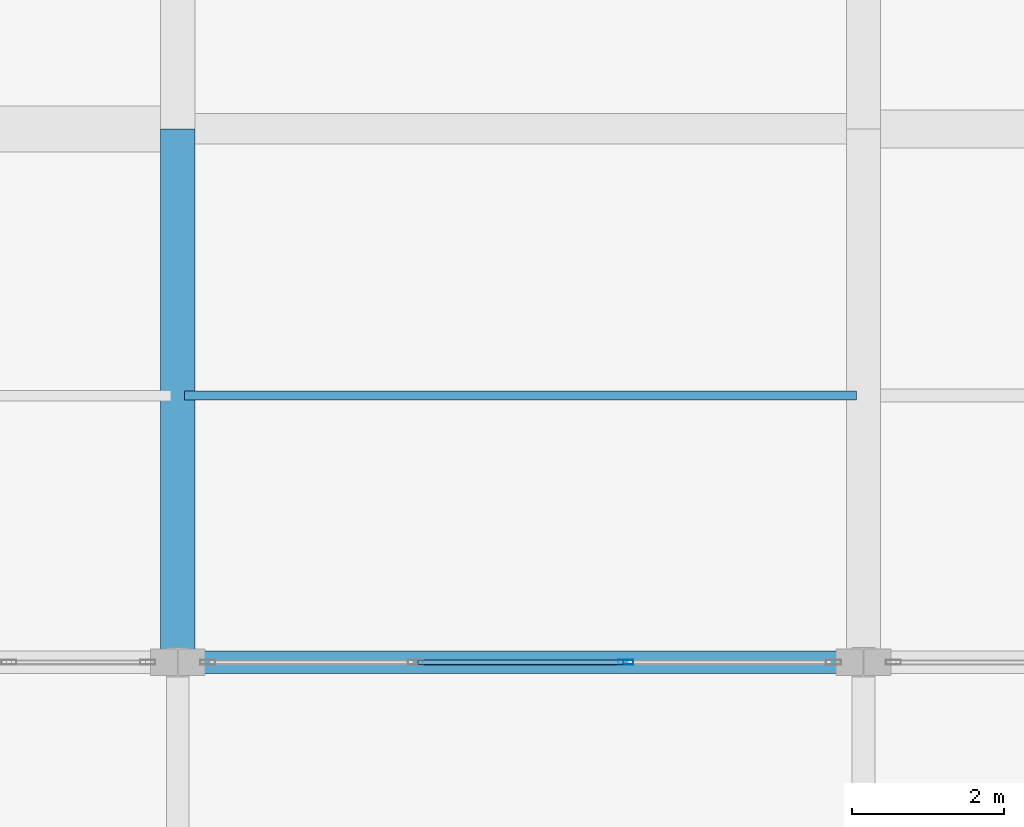
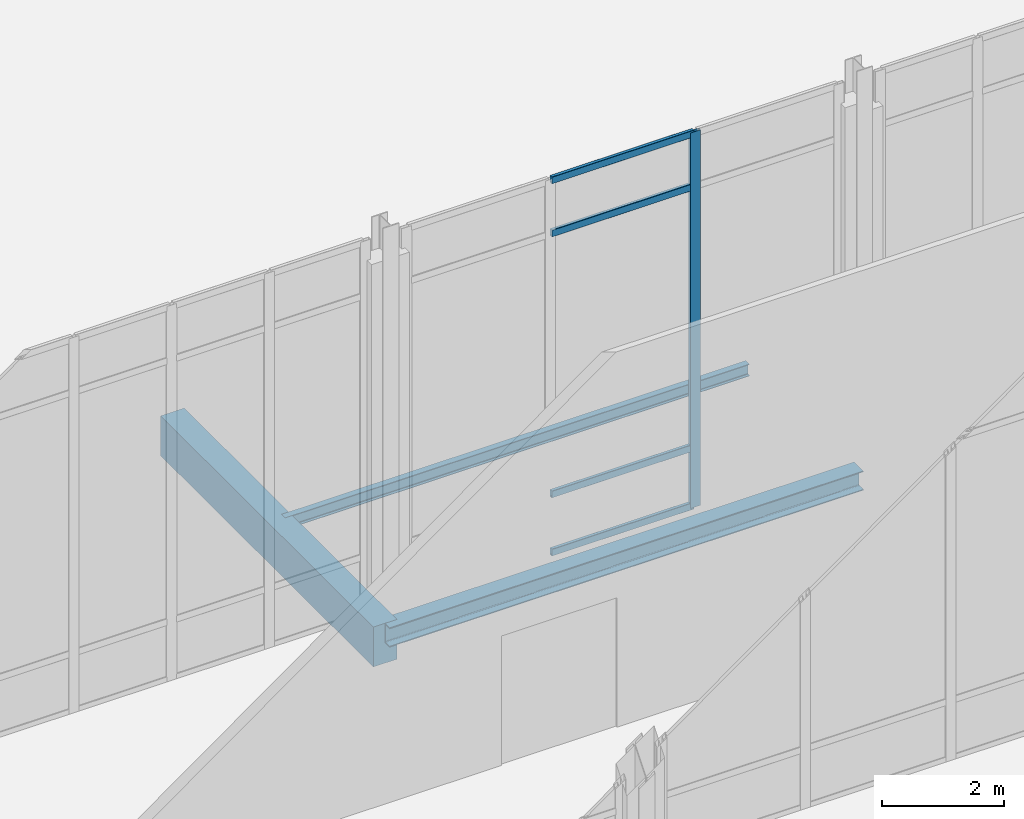
# One storey, part 106 of 176: 5 members, 3 beams, 1 element without a shape of its own.
"""IFC4 building model written with IfcOpenShell, lengths in metres."""

from ifc_helpers import new_model, si_unit, direction, frame, origin, origin_2d, place, context, subcontext, project, spatial, rectangle, hollow_rectangle, i_section, extrude, material, layer, layer_set, material_profile, profile_set, type_object, element, aggregate, save


model = new_model("IFC4")

# Units and contexts
model_context = context("Model", 3, precision=1e-05, world=origin(), true_north=direction((0.0, 1.0)))
body_context = subcontext(model_context, "Body", "Model", "MODEL_VIEW")
ifc_project = project(units=[si_unit("LENGTHUNIT", "METRE"), si_unit("AREAUNIT", "SQUARE_METRE"), si_unit("VOLUMEUNIT", "CUBIC_METRE"), si_unit("PLANEANGLEUNIT", "RADIAN"), si_unit("MASSUNIT", "GRAM", prefix="KILO")], contexts=[model_context])

# Site, building, storey
site_placement = place(None, origin())
site = spatial("IfcSite", under=ifc_project, at=site_placement, CompositionType="ELEMENT")
building_placement = place(site_placement, origin())
building = spatial("IfcBuilding", under=site, at=building_placement, Name="Vekula Escarpment Museum", CompositionType="ELEMENT")
storey_placement = place(building_placement, origin())
storey = spatial("IfcBuildingStorey", under=building, at=storey_placement, Name="L01", CompositionType="ELEMENT", Elevation=0.0)

# Beams
ifc_material_1 = material(Name="Steel S355", Category="steel")
ifc_material_profile_1 = material_profile(ifc_material_1, i_section(OverallWidth=0.1201171875, OverallDepth=0.239990234375, WebThickness=0.006103515625, FlangeThickness=0.009765625, FilletRadius=0.014892578125, at=origin_2d()), Name="IPE 240")
ifc_profile_set_1 = profile_set([ifc_material_profile_1], Name="Steel S355")
beam_type_1 = type_object("IfcBeamType", Name="BM-JST-IPE240", PredefinedType="JOIST", material=ifc_profile_set_1)
beam_1_placement = place(storey_placement, frame((146.090087890625, 79.89990234375, -0.419921875), z_axis=(1.0, 0.0, 0.0), x_axis=(0.0, 1.0, 0.0)))
element("IfcBeam", 1, at=beam_1_placement, inside=storey, type_object=beam_type_1, Name="Secondary Joist L01 0493", PredefinedType="JOIST", context=body_context, shape_type="SweptSolid", body=[
    extrude(i_section(OverallWidth=0.1201171875, OverallDepth=0.239990234375, WebThickness=0.006103515625, FlangeThickness=0.009765625, FilletRadius=0.014892578125, at=origin_2d()), origin(), (0.0, 0.0, 1.0), 8.81982421875),
])
ifc_material_2 = material(Name="Concrete C35/45", Category="concrete")
ifc_material_profile_2 = material_profile(ifc_material_2, rectangle(XDim=0.449951171875, YDim=0.800048828125, at=origin_2d()), Name="RC 450x800")
ifc_profile_set_2 = profile_set([ifc_material_profile_2], Name="Concrete C35/45")
beam_type_2 = type_object("IfcBeamType", Name="BM-PLINTH-RC", PredefinedType="BEAM", material=ifc_profile_set_2)
beam_2_placement = place(storey_placement, frame((146.0, 76.39990234375, -0.699951171875), z_axis=(0.0, 1.0, 0.0), x_axis=(-1.0, 0.0, 0.0)))
element("IfcBeam", 2, at=beam_2_placement, inside=storey, type_object=beam_type_2, Name="Beam Y L01 0697", PredefinedType="BEAM", context=body_context, shape_type="SweptSolid", body=[
    extrude(rectangle(XDim=0.449951171875, YDim=0.800048828125, at=origin_2d()), origin(), (0.0, 0.0, 1.0), 7.0),
])
ifc_material_3 = material(Name="Steel S355", Category="steel")
ifc_material_profile_3 = material_profile(ifc_material_3, i_section(OverallWidth=0.300048828125, OverallDepth=0.389892578125, WebThickness=0.010986328125, FlangeThickness=0.01904296875, FilletRadius=0.027099609375, at=origin_2d()), Name="HEA 400")
ifc_profile_set_3 = profile_set([ifc_material_profile_3], Name="Steel S355")
beam_type_3 = type_object("IfcBeamType", Name="BM-SPAN-HEA400", PredefinedType="SPANDREL", material=ifc_profile_set_3)
beam_3_placement = place(storey_placement, frame((146.0, 76.39990234375, -0.4951171875), z_axis=(1.0, 0.0, 0.0), x_axis=(0.0, 1.0, 0.0)))
element("IfcBeam", 3, at=beam_3_placement, inside=storey, type_object=beam_type_3, Name="Beam X L01 0224", PredefinedType="SPANDREL", context=body_context, shape_type="SweptSolid", body=[
    extrude(i_section(OverallWidth=0.300048828125, OverallDepth=0.389892578125, WebThickness=0.010986328125, FlangeThickness=0.01904296875, FilletRadius=0.027099609375, at=origin_2d()), origin(), (0.0, 0.0, 1.0), 9.0),
])

# Curtain wall, members
ifc_material_4 = material(Name="Aluminium thermally broken framing", Category="aluminium")
ifc_layer = layer(ifc_material_4, 0.169921875)
ifc_layer_set = layer_set([ifc_layer], Name="Aluminium thermally broken framing")
curtain_wall_type = type_object("IfcCurtainWallType", Name="CW-SYS-10", PredefinedType="NOTDEFINED", material=ifc_layer_set)
curtain_wall_placement = place(storey_placement, origin())
curtain_wall = element("IfcCurtainWall", 4, at=curtain_wall_placement, inside=storey, type_object=curtain_wall_type, Name="Curtain Wall CW-L01-020", PredefinedType="NOTDEFINED")
ifc_material_5 = material(Name="Aluminium anodized mullion", Category="aluminium")
ifc_material_profile_4 = material_profile(ifc_material_5, hollow_rectangle(XDim=0.06494140625, YDim=0.199951171875, WallThickness=0.00390625, InnerFilletRadius=0.00390625, OuterFilletRadius=0.008056640625, at=origin_2d()), Name="ALU 200x65x4")
ifc_profile_set_4 = profile_set([ifc_material_profile_4], Name="Aluminium anodized mullion")
member_type_1 = type_object("IfcMemberType", Name="CW-MUL-200", PredefinedType="MULLION", material=ifc_profile_set_4)
member_1_placement = place(storey_placement, frame((151.8798828125, 76.39990234375, 0.0), z_axis=(0.0, 0.0, 1.0), x_axis=(0.0, -1.0, 0.0)))
member_1 = element("IfcMember", 5, at=member_1_placement, type_object=member_type_1, Name="CW-10 mullion 2", PredefinedType="MULLION", context=body_context, shape_type="SweptSolid", body=[
    extrude(hollow_rectangle(XDim=0.06494140625, YDim=0.199951171875, WallThickness=0.00390625, InnerFilletRadius=0.00390625, OuterFilletRadius=0.008056640625, at=origin_2d()), origin(), (0.0, 0.0, 1.0), 7.5400390625),
])
ifc_material_6 = material(Name="Aluminium anodized transom", Category="aluminium")
ifc_material_profile_5 = material_profile(ifc_material_6, hollow_rectangle(XDim=0.06494140625, YDim=0.139892578125, WallThickness=0.00390625, InnerFilletRadius=0.00390625, OuterFilletRadius=0.008056640625, at=origin_2d()), Name="ALU 140x65x4")
ifc_profile_set_5 = profile_set([ifc_material_profile_5], Name="Aluminium anodized transom")
member_type_2 = type_object("IfcMemberType", Name="CW-TRN-140", PredefinedType="USERDEFINED", material=ifc_profile_set_5)
member_2_placement = place(storey_placement, frame((151.847412109375, 76.39990234375, 0.032470703125), z_axis=(-1.0, 0.0, 0.0), x_axis=(0.0, -1.0, 0.0)))
member_2 = element("IfcMember", 6, at=member_2_placement, type_object=member_type_2, Name="CW-10 transom 2.1", ObjectType="TRANSOM", PredefinedType="USERDEFINED", context=body_context, shape_type="SweptSolid", body=[
    extrude(hollow_rectangle(XDim=0.06494140625, YDim=0.139892578125, WallThickness=0.00390625, InnerFilletRadius=0.00390625, OuterFilletRadius=0.008056640625, at=origin_2d()), origin(), (0.0, 0.0, 1.0), 2.69482421875),
])
member_3_placement = place(storey_placement, frame((151.847412109375, 76.39990234375, 1.199951171875), z_axis=(-1.0, 0.0, 0.0), x_axis=(0.0, -1.0, 0.0)))
member_3 = element("IfcMember", 7, at=member_3_placement, type_object=member_type_2, Name="CW-10 transom 2.2", ObjectType="TRANSOM", PredefinedType="USERDEFINED", context=body_context, shape_type="SweptSolid", body=[
    extrude(hollow_rectangle(XDim=0.06494140625, YDim=0.139892578125, WallThickness=0.00390625, InnerFilletRadius=0.00390625, OuterFilletRadius=0.008056640625, at=origin_2d()), origin(), (0.0, 0.0, 1.0), 2.69482421875),
])
member_4_placement = place(storey_placement, frame((151.847412109375, 76.39990234375, 6.43994140625), z_axis=(-1.0, 0.0, 0.0), x_axis=(0.0, -1.0, 0.0)))
member_4 = element("IfcMember", 8, at=member_4_placement, type_object=member_type_2, Name="CW-10 transom 2.3", ObjectType="TRANSOM", PredefinedType="USERDEFINED", context=body_context, shape_type="SweptSolid", body=[
    extrude(hollow_rectangle(XDim=0.06494140625, YDim=0.139892578125, WallThickness=0.00390625, InnerFilletRadius=0.00390625, OuterFilletRadius=0.008056640625, at=origin_2d()), origin(), (0.0, 0.0, 1.0), 2.69482421875),
])
member_5_placement = place(storey_placement, frame((151.847412109375, 76.39990234375, 7.507568359375), z_axis=(-1.0, 0.0, 0.0), x_axis=(0.0, -1.0, 0.0)))
member_5 = element("IfcMember", 9, at=member_5_placement, type_object=member_type_2, Name="CW-10 transom 2.4", ObjectType="TRANSOM", PredefinedType="USERDEFINED", context=body_context, shape_type="SweptSolid", body=[
    extrude(hollow_rectangle(XDim=0.06494140625, YDim=0.139892578125, WallThickness=0.00390625, InnerFilletRadius=0.00390625, OuterFilletRadius=0.008056640625, at=origin_2d()), origin(), (0.0, 0.0, 1.0), 2.69482421875),
])
aggregate(curtain_wall, [member_1, member_2, member_3, member_4, member_5])

save(model, "model.ifc")
